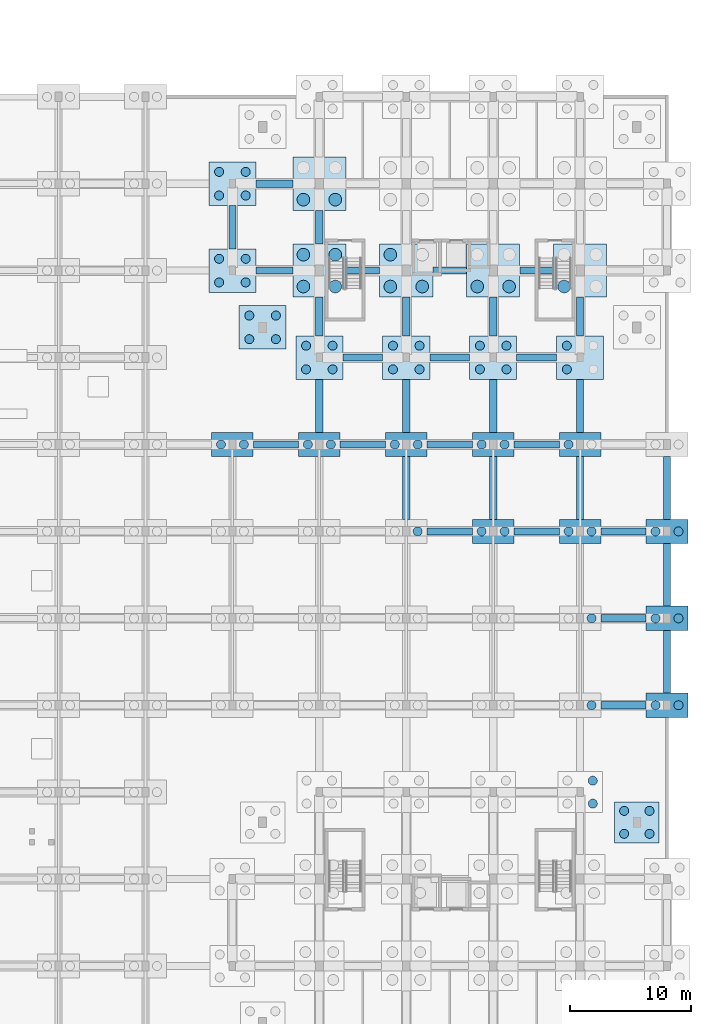
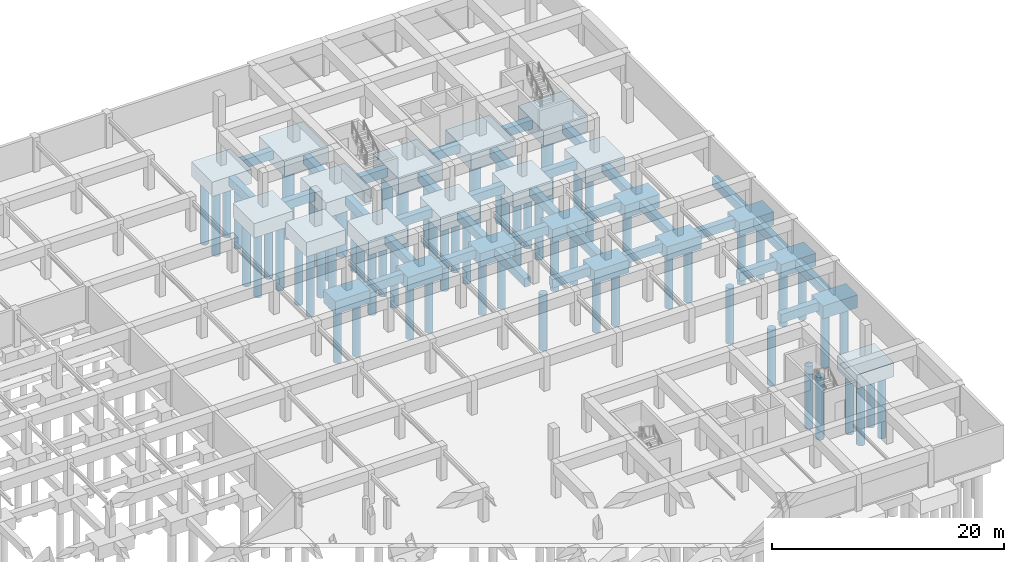
# One storey, part 14 of 36: 66 piles, 56 footings.
"""IFC4 building model written with IfcOpenShell, lengths in metres."""

from ifc_helpers import new_model, si_unit, direction, frame, origin, origin_2d, place, context, subcontext, project, spatial, rectangle, circle, extrude, material, material_profile, profile_set, type_object, element, save


model = new_model("IFC4")

# Units and contexts
model_context = context("Model", 3, precision=1e-05, world=origin(), true_north=direction((0.0, 1.0)))
body_context = subcontext(model_context, "Body", "Model", "MODEL_VIEW")
ifc_project = project(units=[si_unit("LENGTHUNIT", "METRE"), si_unit("AREAUNIT", "SQUARE_METRE"), si_unit("VOLUMEUNIT", "CUBIC_METRE"), si_unit("PLANEANGLEUNIT", "RADIAN"), si_unit("MASSUNIT", "GRAM", prefix="KILO")], contexts=[model_context])

# Site, building, storey
site_placement = place(None, origin())
site = spatial("IfcSite", under=ifc_project, at=site_placement, CompositionType="ELEMENT")
building_placement = place(site_placement, origin())
building = spatial("IfcBuilding", under=site, at=building_placement, Name="Ochrevale Crest", CompositionType="ELEMENT")
storey_placement = place(building_placement, frame((0.0, 0.0, -3.60009765625)))
storey = spatial("IfcBuildingStorey", under=building, at=storey_placement, Name="B1", CompositionType="ELEMENT", Elevation=-3.60009765625)

# Footings
ifc_material = material(Name="Concrete C40/50", Category="concrete")
footing_type_1 = type_object("IfcFootingType", Name="CAP-PC01", PredefinedType="PILE_CAP", material=ifc_material)
for number, where, z_axis, x_axis, name in (
    (1, (136.800048828125, 79.199951171875, -1.85986328125), (0.0, 0.0, 1.0), (1.0, 0.0, 0.0), "Pile cap PC01-273"),
    (2, (136.800048828125, 86.39990234375, -1.85986328125), (0.0, 0.0, 1.0), (1.0, 0.0, 0.0), "Pile cap PC01-274"),
    (3, (144.0, 79.199951171875, -1.85986328125), (0.0, 0.0, 1.0), (1.0, 0.0, 0.0), "Pile cap PC01-285"),
    (4, (151.199951171875, 79.199951171875, -1.85986328125), (0.0, 0.0, 1.0), (1.0, 0.0, 0.0), "Pile cap PC01-297"),
    (5, (158.39990234375, 79.199951171875, -1.85986328125), (0.0, 0.0, 1.0), (1.0, 0.0, 0.0), "Pile cap PC01-309"),
):
    element("IfcFooting", number, at=place(storey_placement, frame(where, z_axis=z_axis, x_axis=x_axis)), inside=storey, type_object=footing_type_1, Name=name, PredefinedType="PILE_CAP", context=body_context, shape_type="SweptSolid", body=[
        extrude(rectangle(XDim=4.39990234375, YDim=4.39990234375, at=origin_2d()), origin(), (0.0, 0.0, 1.0), 1.60009765625),
    ])
footing_type_2 = type_object("IfcFootingType", Name="CAP-PC05", PredefinedType="PILE_CAP", material=ifc_material)
for number, where, z_axis, x_axis, name in (
    (6, (129.60009765625, 79.199951171875, -1.760009765625), (0.0, 0.0, 1.0), (1.0, 0.0, 0.0), "Pile cap PC05-258"),
    (7, (129.60009765625, 86.39990234375, -1.760009765625), (0.0, 0.0, 1.0), (1.0, 0.0, 0.0), "Pile cap PC05-259"),
    (8, (132.10009765625, 74.5, -1.760009765625), (0.0, 0.0, 1.0), (1.0, 0.0, 0.0), "Pile cap PC05-262"),
    (9, (136.800048828125, 72.0, -1.760009765625), (0.0, 0.0, 1.0), (1.0, 0.0, 0.0), "Pile cap PC05-272"),
    (10, (144.0, 72.0, -1.760009765625), (0.0, 0.0, 1.0), (1.0, 0.0, 0.0), "Pile cap PC05-284"),
    (11, (151.199951171875, 72.0, -1.760009765625), (0.0, 0.0, 1.0), (1.0, 0.0, 0.0), "Pile cap PC05-296"),
    (12, (158.39990234375, 72.0, -1.760009765625), (0.0, 0.0, 1.0), (1.0, 0.0, 0.0), "Pile cap PC05-308"),
):
    element("IfcFooting", number, at=place(storey_placement, frame(where, z_axis=z_axis, x_axis=x_axis)), inside=storey, type_object=footing_type_2, Name=name, PredefinedType="PILE_CAP", context=body_context, shape_type="SweptSolid", body=[
        extrude(rectangle(XDim=3.89990234375, YDim=3.60009765625, at=origin_2d()), origin(), (0.0, 0.0, 1.0), 1.5),
    ])
footing_type_3 = type_object("IfcFootingType", Name="CAP-PC06", PredefinedType="PILE_CAP", material=ifc_material)
footing_1_placement = place(storey_placement, frame((163.10009765625, 33.5, -1.7099609375), z_axis=(0.0, 0.0, 1.0), x_axis=(1.0, 0.0, 0.0)))
element("IfcFooting", 13, at=footing_1_placement, inside=storey, type_object=footing_type_3, Name="Pile cap PC06-313", PredefinedType="PILE_CAP", context=body_context, shape_type="SweptSolid", body=[
    extrude(rectangle(XDim=3.699951171875, YDim=3.39990234375, at=origin_2d()), origin(), (0.0, 0.0, 1.0), 1.449951171875),
])
footing_type_4 = type_object("IfcFootingType", Name="CAP-PC12", PredefinedType="PILE_CAP", material=ifc_material)
for number, where, z_axis, x_axis, name in (
    (14, (129.60009765625, 64.800048828125, -1.60986328125), (0.0, 0.0, 1.0), (1.0, 0.0, 0.0), "Pile cap PC12-257"),
    (15, (136.800048828125, 64.800048828125, -1.60986328125), (0.0, 0.0, 1.0), (1.0, 0.0, 0.0), "Pile cap PC12-271"),
    (16, (144.0, 64.800048828125, -1.60986328125), (0.0, 0.0, 1.0), (1.0, 0.0, 0.0), "Pile cap PC12-283"),
    (17, (151.199951171875, 57.60009765625, -1.60986328125), (0.0, 0.0, 1.0), (1.0, 0.0, 0.0), "Pile cap PC12-294"),
    (18, (151.199951171875, 64.800048828125, -1.60986328125), (0.0, 0.0, 1.0), (1.0, 0.0, 0.0), "Pile cap PC12-295"),
    (19, (158.39990234375, 57.60009765625, -1.60986328125), (0.0, 0.0, 1.0), (1.0, 0.0, 0.0), "Pile cap PC12-306"),
    (20, (158.39990234375, 64.800048828125, -1.60986328125), (0.0, 0.0, 1.0), (1.0, 0.0, 0.0), "Pile cap PC12-307"),
    (21, (165.60009765625, 43.199951171875, -1.60986328125), (0.0, 0.0, 1.0), (1.0, 0.0, 0.0), "Pile cap PC12-318"),
    (22, (165.60009765625, 50.39990234375, -1.60986328125), (0.0, 0.0, 1.0), (1.0, 0.0, 0.0), "Pile cap PC12-319"),
    (23, (165.60009765625, 57.60009765625, -1.60986328125), (0.0, 0.0, 1.0), (1.0, 0.0, 0.0), "Pile cap PC12-320"),
):
    element("IfcFooting", number, at=place(storey_placement, frame(where, z_axis=z_axis, x_axis=x_axis)), inside=storey, type_object=footing_type_4, Name=name, PredefinedType="PILE_CAP", context=body_context, shape_type="SweptSolid", body=[
        extrude(rectangle(XDim=3.449951171875, YDim=2.0, at=origin_2d()), origin(), (0.0, 0.0, 1.0), 1.35009765625),
    ])
ifc_material_profile_1 = material_profile(ifc_material, rectangle(XDim=0.60009765625, YDim=0.89990234375, at=origin_2d()), Name="GB 600x900")
ifc_profile_set_1 = profile_set([ifc_material_profile_1], Name="Concrete C40/50")
footing_type_5 = type_object("IfcFootingType", Name="FTG-GB600x900", PredefinedType="FOOTING_BEAM", material=ifc_profile_set_1)
footing_2_placement = place(storey_placement, frame((131.326904296875, 64.800048828125, -0.7099609375), z_axis=(1.0, 0.0, 0.0), x_axis=(0.0, 1.0, 0.0)))
element("IfcFooting", 24, at=footing_2_placement, inside=storey, type_object=footing_type_5, Name="Foundation tie beam GB1-461", PredefinedType="FOOTING_BEAM", context=body_context, shape_type="SweptSolid", body=[
    extrude(rectangle(XDim=0.60009765625, YDim=0.89990234375, at=origin_2d()), origin(), (0.0, 0.0, 1.0), 3.74609375),
])
footing_3_placement = place(storey_placement, frame((131.552001953125, 79.199951171875, -0.7099609375), z_axis=(1.0, 0.0, 0.0), x_axis=(0.0, 1.0, 0.0)))
element("IfcFooting", 25, at=footing_3_placement, inside=storey, type_object=footing_type_5, Name="Foundation tie beam GB1-462", PredefinedType="FOOTING_BEAM", context=body_context, shape_type="SweptSolid", body=[
    extrude(rectangle(XDim=0.60009765625, YDim=0.89990234375, at=origin_2d()), origin(), (0.0, 0.0, 1.0), 3.0458984375),
])
footing_4_placement = place(storey_placement, frame((129.60009765625, 81.001953125, -0.7099609375), z_axis=(0.0, 1.0, 0.0), x_axis=(-1.0, 0.0, 0.0)))
element("IfcFooting", 26, at=footing_4_placement, inside=storey, type_object=footing_type_5, Name="Foundation tie beam GB1-463", PredefinedType="FOOTING_BEAM", context=body_context, shape_type="SweptSolid", body=[
    extrude(rectangle(XDim=0.60009765625, YDim=0.89990234375, at=origin_2d()), origin(), (0.0, 0.0, 1.0), 3.595947265625),
])
footing_5_placement = place(storey_placement, frame((131.552001953125, 86.39990234375, -0.7099609375), z_axis=(1.0, 0.0, 0.0), x_axis=(0.0, 1.0, 0.0)))
element("IfcFooting", 27, at=footing_5_placement, inside=storey, type_object=footing_type_5, Name="Foundation tie beam GB1-464", PredefinedType="FOOTING_BEAM", context=body_context, shape_type="SweptSolid", body=[
    extrude(rectangle(XDim=0.60009765625, YDim=0.89990234375, at=origin_2d()), origin(), (0.0, 0.0, 1.0), 3.0458984375),
])
footing_6_placement = place(storey_placement, frame((138.527099609375, 64.800048828125, -0.7099609375), z_axis=(1.0, 0.0, 0.0), x_axis=(0.0, 1.0, 0.0)))
element("IfcFooting", 28, at=footing_6_placement, inside=storey, type_object=footing_type_5, Name="Foundation tie beam GB1-479", PredefinedType="FOOTING_BEAM", context=body_context, shape_type="SweptSolid", body=[
    extrude(rectangle(XDim=0.60009765625, YDim=0.89990234375, at=origin_2d()), origin(), (0.0, 0.0, 1.0), 3.745849609375),
])
footing_7_placement = place(storey_placement, frame((136.800048828125, 65.802001953125, -0.7099609375), z_axis=(0.0, 1.0, 0.0), x_axis=(-1.0, 0.0, 0.0)))
element("IfcFooting", 29, at=footing_7_placement, inside=storey, type_object=footing_type_5, Name="Foundation tie beam GB1-480", PredefinedType="FOOTING_BEAM", context=body_context, shape_type="SweptSolid", body=[
    extrude(rectangle(XDim=0.60009765625, YDim=0.89990234375, at=origin_2d()), origin(), (0.0, 0.0, 1.0), 4.39599609375),
])
footing_8_placement = place(storey_placement, frame((138.751953125, 72.0, -0.7099609375), z_axis=(1.0, 0.0, 0.0), x_axis=(0.0, 1.0, 0.0)))
element("IfcFooting", 30, at=footing_8_placement, inside=storey, type_object=footing_type_5, Name="Foundation tie beam GB1-481", PredefinedType="FOOTING_BEAM", context=body_context, shape_type="SweptSolid", body=[
    extrude(rectangle(XDim=0.60009765625, YDim=0.89990234375, at=origin_2d()), origin(), (0.0, 0.0, 1.0), 3.296142578125),
])
footing_9_placement = place(storey_placement, frame((136.800048828125, 73.802001953125, -0.7099609375), z_axis=(0.0, 1.0, 0.0), x_axis=(-1.0, 0.0, 0.0)))
element("IfcFooting", 31, at=footing_9_placement, inside=storey, type_object=footing_type_5, Name="Foundation tie beam GB1-482", PredefinedType="FOOTING_BEAM", context=body_context, shape_type="SweptSolid", body=[
    extrude(rectangle(XDim=0.60009765625, YDim=0.89990234375, at=origin_2d()), origin(), (0.0, 0.0, 1.0), 3.196044921875),
])
footing_10_placement = place(storey_placement, frame((139.001953125, 79.199951171875, -0.7099609375), z_axis=(1.0, 0.0, 0.0), x_axis=(0.0, 1.0, 0.0)))
element("IfcFooting", 32, at=footing_10_placement, inside=storey, type_object=footing_type_5, Name="Foundation tie beam GB1-483", PredefinedType="FOOTING_BEAM", context=body_context, shape_type="SweptSolid", body=[
    extrude(rectangle(XDim=0.60009765625, YDim=0.89990234375, at=origin_2d()), origin(), (0.0, 0.0, 1.0), 2.796142578125),
])
footing_11_placement = place(storey_placement, frame((136.800048828125, 81.402099609375, -0.7099609375), z_axis=(0.0, 1.0, 0.0), x_axis=(-1.0, 0.0, 0.0)))
element("IfcFooting", 33, at=footing_11_placement, inside=storey, type_object=footing_type_5, Name="Foundation tie beam GB1-484", PredefinedType="FOOTING_BEAM", context=body_context, shape_type="SweptSolid", body=[
    extrude(rectangle(XDim=0.60009765625, YDim=0.89990234375, at=origin_2d()), origin(), (0.0, 0.0, 1.0), 2.7958984375),
])
footing_12_placement = place(storey_placement, frame((145.72705078125, 57.60009765625, -0.7099609375), z_axis=(1.0, 0.0, 0.0), x_axis=(0.0, 1.0, 0.0)))
element("IfcFooting", 34, at=footing_12_placement, inside=storey, type_object=footing_type_5, Name="Foundation tie beam GB1-500", PredefinedType="FOOTING_BEAM", context=body_context, shape_type="SweptSolid", body=[
    extrude(rectangle(XDim=0.60009765625, YDim=0.89990234375, at=origin_2d()), origin(), (0.0, 0.0, 1.0), 3.745849609375),
])
footing_13_placement = place(storey_placement, frame((144.0, 58.60205078125, -0.7099609375), z_axis=(0.0, 1.0, 0.0), x_axis=(-1.0, 0.0, 0.0)))
element("IfcFooting", 35, at=footing_13_placement, inside=storey, type_object=footing_type_5, Name="Foundation tie beam GB1-501", PredefinedType="FOOTING_BEAM", context=body_context, shape_type="SweptSolid", body=[
    extrude(rectangle(XDim=0.60009765625, YDim=0.89990234375, at=origin_2d()), origin(), (0.0, 0.0, 1.0), 5.196044921875),
])
footing_14_placement = place(storey_placement, frame((145.72705078125, 64.800048828125, -0.7099609375), z_axis=(1.0, 0.0, 0.0), x_axis=(0.0, 1.0, 0.0)))
element("IfcFooting", 36, at=footing_14_placement, inside=storey, type_object=footing_type_5, Name="Foundation tie beam GB1-502", PredefinedType="FOOTING_BEAM", context=body_context, shape_type="SweptSolid", body=[
    extrude(rectangle(XDim=0.60009765625, YDim=0.89990234375, at=origin_2d()), origin(), (0.0, 0.0, 1.0), 3.745849609375),
])
footing_15_placement = place(storey_placement, frame((144.0, 65.802001953125, -0.7099609375), z_axis=(0.0, 1.0, 0.0), x_axis=(-1.0, 0.0, 0.0)))
element("IfcFooting", 37, at=footing_15_placement, inside=storey, type_object=footing_type_5, Name="Foundation tie beam GB1-503", PredefinedType="FOOTING_BEAM", context=body_context, shape_type="SweptSolid", body=[
    extrude(rectangle(XDim=0.60009765625, YDim=0.89990234375, at=origin_2d()), origin(), (0.0, 0.0, 1.0), 4.39599609375),
])
footing_16_placement = place(storey_placement, frame((145.951904296875, 72.0, -0.7099609375), z_axis=(1.0, 0.0, 0.0), x_axis=(0.0, 1.0, 0.0)))
element("IfcFooting", 38, at=footing_16_placement, inside=storey, type_object=footing_type_5, Name="Foundation tie beam GB1-504", PredefinedType="FOOTING_BEAM", context=body_context, shape_type="SweptSolid", body=[
    extrude(rectangle(XDim=0.60009765625, YDim=0.89990234375, at=origin_2d()), origin(), (0.0, 0.0, 1.0), 3.296142578125),
])
footing_17_placement = place(storey_placement, frame((144.0, 73.802001953125, -0.7099609375), z_axis=(0.0, 1.0, 0.0), x_axis=(-1.0, 0.0, 0.0)))
element("IfcFooting", 39, at=footing_17_placement, inside=storey, type_object=footing_type_5, Name="Foundation tie beam GB1-505", PredefinedType="FOOTING_BEAM", context=body_context, shape_type="SweptSolid", body=[
    extrude(rectangle(XDim=0.60009765625, YDim=0.89990234375, at=origin_2d()), origin(), (0.0, 0.0, 1.0), 3.196044921875),
])
footing_18_placement = place(storey_placement, frame((146.201904296875, 79.199951171875, -0.7099609375), z_axis=(1.0, 0.0, 0.0), x_axis=(0.0, 1.0, 0.0)))
element("IfcFooting", 40, at=footing_18_placement, inside=storey, type_object=footing_type_5, Name="Foundation tie beam GB1-506", PredefinedType="FOOTING_BEAM", context=body_context, shape_type="SweptSolid", body=[
    extrude(rectangle(XDim=0.60009765625, YDim=0.89990234375, at=origin_2d()), origin(), (0.0, 0.0, 1.0), 2.796142578125),
])
footing_19_placement = place(storey_placement, frame((152.927001953125, 57.60009765625, -0.7099609375), z_axis=(1.0, 0.0, 0.0), x_axis=(0.0, 1.0, 0.0)))
element("IfcFooting", 41, at=footing_19_placement, inside=storey, type_object=footing_type_5, Name="Foundation tie beam GB1-523", PredefinedType="FOOTING_BEAM", context=body_context, shape_type="SweptSolid", body=[
    extrude(rectangle(XDim=0.60009765625, YDim=0.89990234375, at=origin_2d()), origin(), (0.0, 0.0, 1.0), 3.74609375),
])
footing_20_placement = place(storey_placement, frame((151.199951171875, 58.60205078125, -0.7099609375), z_axis=(0.0, 1.0, 0.0), x_axis=(-1.0, 0.0, 0.0)))
element("IfcFooting", 42, at=footing_20_placement, inside=storey, type_object=footing_type_5, Name="Foundation tie beam GB1-524", PredefinedType="FOOTING_BEAM", context=body_context, shape_type="SweptSolid", body=[
    extrude(rectangle(XDim=0.60009765625, YDim=0.89990234375, at=origin_2d()), origin(), (0.0, 0.0, 1.0), 5.196044921875),
])
footing_21_placement = place(storey_placement, frame((152.927001953125, 64.800048828125, -0.7099609375), z_axis=(1.0, 0.0, 0.0), x_axis=(0.0, 1.0, 0.0)))
element("IfcFooting", 43, at=footing_21_placement, inside=storey, type_object=footing_type_5, Name="Foundation tie beam GB1-525", PredefinedType="FOOTING_BEAM", context=body_context, shape_type="SweptSolid", body=[
    extrude(rectangle(XDim=0.60009765625, YDim=0.89990234375, at=origin_2d()), origin(), (0.0, 0.0, 1.0), 3.74609375),
])
footing_22_placement = place(storey_placement, frame((151.199951171875, 65.802001953125, -0.7099609375), z_axis=(0.0, 1.0, 0.0), x_axis=(-1.0, 0.0, 0.0)))
element("IfcFooting", 44, at=footing_22_placement, inside=storey, type_object=footing_type_5, Name="Foundation tie beam GB1-526", PredefinedType="FOOTING_BEAM", context=body_context, shape_type="SweptSolid", body=[
    extrude(rectangle(XDim=0.60009765625, YDim=0.89990234375, at=origin_2d()), origin(), (0.0, 0.0, 1.0), 4.39599609375),
])
footing_23_placement = place(storey_placement, frame((153.152099609375, 72.0, -0.7099609375), z_axis=(1.0, 0.0, 0.0), x_axis=(0.0, 1.0, 0.0)))
element("IfcFooting", 45, at=footing_23_placement, inside=storey, type_object=footing_type_5, Name="Foundation tie beam GB1-527", PredefinedType="FOOTING_BEAM", context=body_context, shape_type="SweptSolid", body=[
    extrude(rectangle(XDim=0.60009765625, YDim=0.89990234375, at=origin_2d()), origin(), (0.0, 0.0, 1.0), 3.2958984375),
])
footing_24_placement = place(storey_placement, frame((151.199951171875, 73.802001953125, -0.7099609375), z_axis=(0.0, 1.0, 0.0), x_axis=(-1.0, 0.0, 0.0)))
element("IfcFooting", 46, at=footing_24_placement, inside=storey, type_object=footing_type_5, Name="Foundation tie beam GB1-528", PredefinedType="FOOTING_BEAM", context=body_context, shape_type="SweptSolid", body=[
    extrude(rectangle(XDim=0.60009765625, YDim=0.89990234375, at=origin_2d()), origin(), (0.0, 0.0, 1.0), 3.196044921875),
])
footing_25_placement = place(storey_placement, frame((153.402099609375, 79.199951171875, -0.7099609375), z_axis=(1.0, 0.0, 0.0), x_axis=(0.0, 1.0, 0.0)))
element("IfcFooting", 47, at=footing_25_placement, inside=storey, type_object=footing_type_5, Name="Foundation tie beam GB1-529", PredefinedType="FOOTING_BEAM", context=body_context, shape_type="SweptSolid", body=[
    extrude(rectangle(XDim=0.60009765625, YDim=0.89990234375, at=origin_2d()), origin(), (0.0, 0.0, 1.0), 2.7958984375),
])
for number, where, z_axis, x_axis, name in (
    (48, (160.126953125, 43.199951171875, -0.7099609375), (1.0, 0.0, 0.0), (0.0, 1.0, 0.0), "Foundation tie beam GB1-540"),
    (49, (160.126953125, 50.39990234375, -0.7099609375), (1.0, 0.0, 0.0), (0.0, 1.0, 0.0), "Foundation tie beam GB1-542"),
    (50, (160.126953125, 57.60009765625, -0.7099609375), (1.0, 0.0, 0.0), (0.0, 1.0, 0.0), "Foundation tie beam GB1-544"),
):
    element("IfcFooting", number, at=place(storey_placement, frame(where, z_axis=z_axis, x_axis=x_axis)), inside=storey, type_object=footing_type_5, Name=name, PredefinedType="FOOTING_BEAM", context=body_context, shape_type="SweptSolid", body=[
        extrude(rectangle(XDim=0.60009765625, YDim=0.89990234375, at=origin_2d()), origin(), (0.0, 0.0, 1.0), 3.74609375),
    ])
footing_26_placement = place(storey_placement, frame((158.39990234375, 58.60205078125, -0.7099609375), z_axis=(0.0, 1.0, 0.0), x_axis=(-1.0, 0.0, 0.0)))
element("IfcFooting", 51, at=footing_26_placement, inside=storey, type_object=footing_type_5, Name="Foundation tie beam GB1-545", PredefinedType="FOOTING_BEAM", context=body_context, shape_type="SweptSolid", body=[
    extrude(rectangle(XDim=0.60009765625, YDim=0.89990234375, at=origin_2d()), origin(), (0.0, 0.0, 1.0), 5.196044921875),
])
footing_27_placement = place(storey_placement, frame((158.39990234375, 65.802001953125, -0.7099609375), z_axis=(0.0, 1.0, 0.0), x_axis=(-1.0, 0.0, 0.0)))
element("IfcFooting", 52, at=footing_27_placement, inside=storey, type_object=footing_type_5, Name="Foundation tie beam GB1-547", PredefinedType="FOOTING_BEAM", context=body_context, shape_type="SweptSolid", body=[
    extrude(rectangle(XDim=0.60009765625, YDim=0.89990234375, at=origin_2d()), origin(), (0.0, 0.0, 1.0), 4.39599609375),
])
footing_28_placement = place(storey_placement, frame((158.39990234375, 73.802001953125, -0.7099609375), z_axis=(0.0, 1.0, 0.0), x_axis=(-1.0, 0.0, 0.0)))
element("IfcFooting", 53, at=footing_28_placement, inside=storey, type_object=footing_type_5, Name="Foundation tie beam GB1-548", PredefinedType="FOOTING_BEAM", context=body_context, shape_type="SweptSolid", body=[
    extrude(rectangle(XDim=0.60009765625, YDim=0.89990234375, at=origin_2d()), origin(), (0.0, 0.0, 1.0), 3.196044921875),
])
footing_29_placement = place(storey_placement, frame((165.60009765625, 44.201904296875, -0.7099609375), z_axis=(0.0, 1.0, 0.0), x_axis=(-1.0, 0.0, 0.0)))
element("IfcFooting", 54, at=footing_29_placement, inside=storey, type_object=footing_type_5, Name="Foundation tie beam GB1-554", PredefinedType="FOOTING_BEAM", context=body_context, shape_type="SweptSolid", body=[
    extrude(rectangle(XDim=0.60009765625, YDim=0.89990234375, at=origin_2d()), origin(), (0.0, 0.0, 1.0), 5.196044921875),
])
footing_30_placement = place(storey_placement, frame((165.60009765625, 51.402099609375, -0.7099609375), z_axis=(0.0, 1.0, 0.0), x_axis=(-1.0, 0.0, 0.0)))
element("IfcFooting", 55, at=footing_30_placement, inside=storey, type_object=footing_type_5, Name="Foundation tie beam GB1-555", PredefinedType="FOOTING_BEAM", context=body_context, shape_type="SweptSolid", body=[
    extrude(rectangle(XDim=0.60009765625, YDim=0.89990234375, at=origin_2d()), origin(), (0.0, 0.0, 1.0), 5.19580078125),
])
footing_31_placement = place(storey_placement, frame((165.60009765625, 58.60205078125, -0.7099609375), z_axis=(0.0, 1.0, 0.0), x_axis=(-1.0, 0.0, 0.0)))
element("IfcFooting", 56, at=footing_31_placement, inside=storey, type_object=footing_type_5, Name="Foundation tie beam GB1-556", PredefinedType="FOOTING_BEAM", context=body_context, shape_type="SweptSolid", body=[
    extrude(rectangle(XDim=0.60009765625, YDim=0.89990234375, at=origin_2d()), origin(), (0.0, 0.0, 1.0), 5.196044921875),
])

# Piles
ifc_material_profile_2 = material_profile(ifc_material, circle(Radius=0.52490234375, at=origin_2d()), Name="BORED PILE 1050")
ifc_profile_set_2 = profile_set([ifc_material_profile_2], Name="Concrete C40/50")
pile_type_1 = type_object("IfcPileType", Name="PILE-BP1050", PredefinedType="BORED", material=ifc_profile_set_2)
for number, where, z_axis, x_axis, name in (
    (57, (135.47998046875, 77.8798828125, -1.760009765625), (0.0, 0.0, -1.0), (1.0, 0.0, 0.0), "Bored pile P4-273-1"),
    (58, (138.1201171875, 77.8798828125, -1.760009765625), (0.0, 0.0, -1.0), (1.0, 0.0, 0.0), "Bored pile P4-273-2"),
    (59, (135.47998046875, 80.52001953125, -1.760009765625), (0.0, 0.0, -1.0), (1.0, 0.0, 0.0), "Bored pile P4-273-3"),
    (60, (138.1201171875, 80.52001953125, -1.760009765625), (0.0, 0.0, -1.0), (1.0, 0.0, 0.0), "Bored pile P4-273-4"),
    (61, (135.47998046875, 85.080078125, -1.760009765625), (0.0, 0.0, -1.0), (1.0, 0.0, 0.0), "Bored pile P4-274-1"),
    (62, (138.1201171875, 85.080078125, -1.760009765625), (0.0, 0.0, -1.0), (1.0, 0.0, 0.0), "Bored pile P4-274-2"),
    (63, (142.679931640625, 77.8798828125, -1.760009765625), (0.0, 0.0, -1.0), (1.0, 0.0, 0.0), "Bored pile P4-285-1"),
    (64, (145.320068359375, 77.8798828125, -1.760009765625), (0.0, 0.0, -1.0), (1.0, 0.0, 0.0), "Bored pile P4-285-2"),
    (65, (142.679931640625, 80.52001953125, -1.760009765625), (0.0, 0.0, -1.0), (1.0, 0.0, 0.0), "Bored pile P4-285-3"),
    (66, (149.8798828125, 77.8798828125, -1.760009765625), (0.0, 0.0, -1.0), (1.0, 0.0, 0.0), "Bored pile P4-297-1"),
    (67, (152.52001953125, 77.8798828125, -1.760009765625), (0.0, 0.0, -1.0), (1.0, 0.0, 0.0), "Bored pile P4-297-2"),
    (68, (157.080078125, 77.8798828125, -1.760009765625), (0.0, 0.0, -1.0), (1.0, 0.0, 0.0), "Bored pile P4-309-1"),
):
    element("IfcPile", number, at=place(storey_placement, frame(where, z_axis=z_axis, x_axis=x_axis)), inside=storey, type_object=pile_type_1, Name=name, PredefinedType="BORED", context=body_context, shape_type="SweptSolid", body=[
        extrude(circle(Radius=0.52490234375, at=origin_2d()), origin(), (0.0, 0.0, 1.0), 7.239990234375),
    ])
ifc_material_profile_3 = material_profile(ifc_material, circle(Radius=0.375, at=origin_2d()), Name="BORED PILE 750")
ifc_profile_set_3 = profile_set([ifc_material_profile_3], Name="Concrete C40/50")
pile_type_2 = type_object("IfcPileType", Name="PILE-BP750", PredefinedType="BORED", material=ifc_profile_set_3)
for number, where, z_axis, x_axis, name in (
    (69, (128.64990234375, 64.800048828125, -1.510009765625), (0.0, 0.0, -1.0), (1.0, 0.0, 0.0), "Bored pile P2-257-1"),
    (70, (130.550048828125, 64.800048828125, -1.510009765625), (0.0, 0.0, -1.0), (1.0, 0.0, 0.0), "Bored pile P2-257-2"),
):
    element("IfcPile", number, at=place(storey_placement, frame(where, z_axis=z_axis, x_axis=x_axis)), inside=storey, type_object=pile_type_2, Name=name, PredefinedType="BORED", context=body_context, shape_type="SweptSolid", body=[
        extrude(circle(Radius=0.375, at=origin_2d()), origin(), (0.0, 0.0, 1.0), 5.889892578125),
    ])
for number, where, z_axis, x_axis, name in (
    (71, (128.5, 78.219970703125, -1.659912109375), (0.0, 0.0, -1.0), (1.0, 0.0, 0.0), "Bored pile P2-258-1"),
    (72, (130.699951171875, 78.219970703125, -1.659912109375), (0.0, 0.0, -1.0), (1.0, 0.0, 0.0), "Bored pile P2-258-2"),
    (73, (128.5, 80.179931640625, -1.659912109375), (0.0, 0.0, -1.0), (1.0, 0.0, 0.0), "Bored pile P2-258-3"),
    (74, (130.699951171875, 80.179931640625, -1.659912109375), (0.0, 0.0, -1.0), (1.0, 0.0, 0.0), "Bored pile P2-258-4"),
    (75, (128.5, 85.419921875, -1.659912109375), (0.0, 0.0, -1.0), (1.0, 0.0, 0.0), "Bored pile P2-259-1"),
    (76, (130.699951171875, 85.419921875, -1.659912109375), (0.0, 0.0, -1.0), (1.0, 0.0, 0.0), "Bored pile P2-259-2"),
    (77, (128.5, 87.3798828125, -1.659912109375), (0.0, 0.0, -1.0), (1.0, 0.0, 0.0), "Bored pile P2-259-3"),
    (78, (130.699951171875, 87.3798828125, -1.659912109375), (0.0, 0.0, -1.0), (1.0, 0.0, 0.0), "Bored pile P2-259-4"),
    (79, (131.0, 73.52001953125, -1.659912109375), (0.0, 0.0, -1.0), (1.0, 0.0, 0.0), "Bored pile P2-262-1"),
    (80, (133.199951171875, 73.52001953125, -1.659912109375), (0.0, 0.0, -1.0), (1.0, 0.0, 0.0), "Bored pile P2-262-2"),
    (81, (131.0, 75.47998046875, -1.659912109375), (0.0, 0.0, -1.0), (1.0, 0.0, 0.0), "Bored pile P2-262-3"),
    (82, (133.199951171875, 75.47998046875, -1.659912109375), (0.0, 0.0, -1.0), (1.0, 0.0, 0.0), "Bored pile P2-262-4"),
):
    element("IfcPile", number, at=place(storey_placement, frame(where, z_axis=z_axis, x_axis=x_axis)), inside=storey, type_object=pile_type_2, Name=name, PredefinedType="BORED", context=body_context, shape_type="SweptSolid", body=[
        extrude(circle(Radius=0.375, at=origin_2d()), origin(), (0.0, 0.0, 1.0), 6.93994140625),
    ])
for number, where, z_axis, x_axis, name in (
    (83, (135.85009765625, 64.800048828125, -1.510009765625), (0.0, 0.0, -1.0), (1.0, 0.0, 0.0), "Bored pile P2-271-1"),
    (84, (137.75, 64.800048828125, -1.510009765625), (0.0, 0.0, -1.0), (1.0, 0.0, 0.0), "Bored pile P2-271-2"),
):
    element("IfcPile", number, at=place(storey_placement, frame(where, z_axis=z_axis, x_axis=x_axis)), inside=storey, type_object=pile_type_2, Name=name, PredefinedType="BORED", context=body_context, shape_type="SweptSolid", body=[
        extrude(circle(Radius=0.375, at=origin_2d()), origin(), (0.0, 0.0, 1.0), 5.889892578125),
    ])
for number, where, z_axis, x_axis, name in (
    (85, (135.699951171875, 71.02001953125, -1.659912109375), (0.0, 0.0, -1.0), (1.0, 0.0, 0.0), "Bored pile P2-272-1"),
    (86, (137.89990234375, 71.02001953125, -1.659912109375), (0.0, 0.0, -1.0), (1.0, 0.0, 0.0), "Bored pile P2-272-2"),
    (87, (135.699951171875, 72.97998046875, -1.659912109375), (0.0, 0.0, -1.0), (1.0, 0.0, 0.0), "Bored pile P2-272-3"),
    (88, (137.89990234375, 72.97998046875, -1.659912109375), (0.0, 0.0, -1.0), (1.0, 0.0, 0.0), "Bored pile P2-272-4"),
):
    element("IfcPile", number, at=place(storey_placement, frame(where, z_axis=z_axis, x_axis=x_axis)), inside=storey, type_object=pile_type_2, Name=name, PredefinedType="BORED", context=body_context, shape_type="SweptSolid", body=[
        extrude(circle(Radius=0.375, at=origin_2d()), origin(), (0.0, 0.0, 1.0), 6.93994140625),
    ])
for number, where, z_axis, x_axis, name in (
    (89, (144.949951171875, 57.60009765625, -1.510009765625), (0.0, 0.0, -1.0), (1.0, 0.0, 0.0), "Bored pile P2-282-2"),
    (90, (143.050048828125, 64.800048828125, -1.510009765625), (0.0, 0.0, -1.0), (1.0, 0.0, 0.0), "Bored pile P2-283-1"),
    (91, (144.949951171875, 64.800048828125, -1.510009765625), (0.0, 0.0, -1.0), (1.0, 0.0, 0.0), "Bored pile P2-283-2"),
):
    element("IfcPile", number, at=place(storey_placement, frame(where, z_axis=z_axis, x_axis=x_axis)), inside=storey, type_object=pile_type_2, Name=name, PredefinedType="BORED", context=body_context, shape_type="SweptSolid", body=[
        extrude(circle(Radius=0.375, at=origin_2d()), origin(), (0.0, 0.0, 1.0), 5.889892578125),
    ])
for number, where, z_axis, x_axis, name in (
    (92, (142.89990234375, 71.02001953125, -1.659912109375), (0.0, 0.0, -1.0), (1.0, 0.0, 0.0), "Bored pile P2-284-1"),
    (93, (145.10009765625, 71.02001953125, -1.659912109375), (0.0, 0.0, -1.0), (1.0, 0.0, 0.0), "Bored pile P2-284-2"),
    (94, (142.89990234375, 72.97998046875, -1.659912109375), (0.0, 0.0, -1.0), (1.0, 0.0, 0.0), "Bored pile P2-284-3"),
    (95, (145.10009765625, 72.97998046875, -1.659912109375), (0.0, 0.0, -1.0), (1.0, 0.0, 0.0), "Bored pile P2-284-4"),
):
    element("IfcPile", number, at=place(storey_placement, frame(where, z_axis=z_axis, x_axis=x_axis)), inside=storey, type_object=pile_type_2, Name=name, PredefinedType="BORED", context=body_context, shape_type="SweptSolid", body=[
        extrude(circle(Radius=0.375, at=origin_2d()), origin(), (0.0, 0.0, 1.0), 6.93994140625),
    ])
for number, where, z_axis, x_axis, name in (
    (96, (150.25, 57.60009765625, -1.510009765625), (0.0, 0.0, -1.0), (1.0, 0.0, 0.0), "Bored pile P2-294-1"),
    (97, (152.14990234375, 57.60009765625, -1.510009765625), (0.0, 0.0, -1.0), (1.0, 0.0, 0.0), "Bored pile P2-294-2"),
    (98, (150.25, 64.800048828125, -1.510009765625), (0.0, 0.0, -1.0), (1.0, 0.0, 0.0), "Bored pile P2-295-1"),
    (99, (152.14990234375, 64.800048828125, -1.510009765625), (0.0, 0.0, -1.0), (1.0, 0.0, 0.0), "Bored pile P2-295-2"),
):
    element("IfcPile", number, at=place(storey_placement, frame(where, z_axis=z_axis, x_axis=x_axis)), inside=storey, type_object=pile_type_2, Name=name, PredefinedType="BORED", context=body_context, shape_type="SweptSolid", body=[
        extrude(circle(Radius=0.375, at=origin_2d()), origin(), (0.0, 0.0, 1.0), 5.889892578125),
    ])
for number, where, z_axis, x_axis, name in (
    (100, (150.10009765625, 71.02001953125, -1.659912109375), (0.0, 0.0, -1.0), (1.0, 0.0, 0.0), "Bored pile P2-296-1"),
    (101, (152.300048828125, 71.02001953125, -1.659912109375), (0.0, 0.0, -1.0), (1.0, 0.0, 0.0), "Bored pile P2-296-2"),
    (102, (150.10009765625, 72.97998046875, -1.659912109375), (0.0, 0.0, -1.0), (1.0, 0.0, 0.0), "Bored pile P2-296-3"),
    (103, (152.300048828125, 72.97998046875, -1.659912109375), (0.0, 0.0, -1.0), (1.0, 0.0, 0.0), "Bored pile P2-296-4"),
):
    element("IfcPile", number, at=place(storey_placement, frame(where, z_axis=z_axis, x_axis=x_axis)), inside=storey, type_object=pile_type_2, Name=name, PredefinedType="BORED", context=body_context, shape_type="SweptSolid", body=[
        extrude(circle(Radius=0.375, at=origin_2d()), origin(), (0.0, 0.0, 1.0), 6.93994140625),
    ])
for number, where, z_axis, x_axis, name in (
    (104, (159.449951171875, 35.050048828125, -1.60986328125), (0.0, 0.0, -1.0), (1.0, 0.0, 0.0), "Bored pile P2-303-2"),
    (105, (159.449951171875, 36.949951171875, -1.60986328125), (0.0, 0.0, -1.0), (1.0, 0.0, 0.0), "Bored pile P2-303-4"),
):
    element("IfcPile", number, at=place(storey_placement, frame(where, z_axis=z_axis, x_axis=x_axis)), inside=storey, type_object=pile_type_2, Name=name, PredefinedType="BORED", context=body_context, shape_type="SweptSolid", body=[
        extrude(circle(Radius=0.375, at=origin_2d()), origin(), (0.0, 0.0, 1.0), 6.590087890625),
    ])
for number, where, z_axis, x_axis, name in (
    (106, (159.35009765625, 43.199951171875, -1.510009765625), (0.0, 0.0, -1.0), (1.0, 0.0, 0.0), "Bored pile P2-304-2"),
    (107, (159.35009765625, 50.39990234375, -1.510009765625), (0.0, 0.0, -1.0), (1.0, 0.0, 0.0), "Bored pile P2-305-2"),
    (108, (157.449951171875, 57.60009765625, -1.510009765625), (0.0, 0.0, -1.0), (1.0, 0.0, 0.0), "Bored pile P2-306-1"),
    (109, (159.35009765625, 57.60009765625, -1.510009765625), (0.0, 0.0, -1.0), (1.0, 0.0, 0.0), "Bored pile P2-306-2"),
    (110, (157.449951171875, 64.800048828125, -1.510009765625), (0.0, 0.0, -1.0), (1.0, 0.0, 0.0), "Bored pile P2-307-1"),
):
    element("IfcPile", number, at=place(storey_placement, frame(where, z_axis=z_axis, x_axis=x_axis)), inside=storey, type_object=pile_type_2, Name=name, PredefinedType="BORED", context=body_context, shape_type="SweptSolid", body=[
        extrude(circle(Radius=0.375, at=origin_2d()), origin(), (0.0, 0.0, 1.0), 5.889892578125),
    ])
for number, where, z_axis, x_axis, name in (
    (111, (157.300048828125, 71.02001953125, -1.659912109375), (0.0, 0.0, -1.0), (1.0, 0.0, 0.0), "Bored pile P2-308-1"),
    (112, (157.300048828125, 72.97998046875, -1.659912109375), (0.0, 0.0, -1.0), (1.0, 0.0, 0.0), "Bored pile P2-308-3"),
):
    element("IfcPile", number, at=place(storey_placement, frame(where, z_axis=z_axis, x_axis=x_axis)), inside=storey, type_object=pile_type_2, Name=name, PredefinedType="BORED", context=body_context, shape_type="SweptSolid", body=[
        extrude(circle(Radius=0.375, at=origin_2d()), origin(), (0.0, 0.0, 1.0), 6.93994140625),
    ])
for number, where, z_axis, x_axis, name in (
    (113, (162.050048828125, 32.550048828125, -1.60986328125), (0.0, 0.0, -1.0), (1.0, 0.0, 0.0), "Bored pile P2-313-1"),
    (114, (164.14990234375, 32.550048828125, -1.60986328125), (0.0, 0.0, -1.0), (1.0, 0.0, 0.0), "Bored pile P2-313-2"),
    (115, (162.050048828125, 34.449951171875, -1.60986328125), (0.0, 0.0, -1.0), (1.0, 0.0, 0.0), "Bored pile P2-313-3"),
    (116, (164.14990234375, 34.449951171875, -1.60986328125), (0.0, 0.0, -1.0), (1.0, 0.0, 0.0), "Bored pile P2-313-4"),
):
    element("IfcPile", number, at=place(storey_placement, frame(where, z_axis=z_axis, x_axis=x_axis)), inside=storey, type_object=pile_type_2, Name=name, PredefinedType="BORED", context=body_context, shape_type="SweptSolid", body=[
        extrude(circle(Radius=0.375, at=origin_2d()), origin(), (0.0, 0.0, 1.0), 6.590087890625),
    ])
for number, where, z_axis, x_axis, name in (
    (117, (164.64990234375, 43.199951171875, -1.510009765625), (0.0, 0.0, -1.0), (1.0, 0.0, 0.0), "Bored pile P2-318-1"),
    (118, (166.550048828125, 43.199951171875, -1.510009765625), (0.0, 0.0, -1.0), (1.0, 0.0, 0.0), "Bored pile P2-318-2"),
    (119, (164.64990234375, 50.39990234375, -1.510009765625), (0.0, 0.0, -1.0), (1.0, 0.0, 0.0), "Bored pile P2-319-1"),
    (120, (166.550048828125, 50.39990234375, -1.510009765625), (0.0, 0.0, -1.0), (1.0, 0.0, 0.0), "Bored pile P2-319-2"),
    (121, (164.64990234375, 57.60009765625, -1.510009765625), (0.0, 0.0, -1.0), (1.0, 0.0, 0.0), "Bored pile P2-320-1"),
    (122, (166.550048828125, 57.60009765625, -1.510009765625), (0.0, 0.0, -1.0), (1.0, 0.0, 0.0), "Bored pile P2-320-2"),
):
    element("IfcPile", number, at=place(storey_placement, frame(where, z_axis=z_axis, x_axis=x_axis)), inside=storey, type_object=pile_type_2, Name=name, PredefinedType="BORED", context=body_context, shape_type="SweptSolid", body=[
        extrude(circle(Radius=0.375, at=origin_2d()), origin(), (0.0, 0.0, 1.0), 5.889892578125),
    ])

save(model, "model.ifc")
